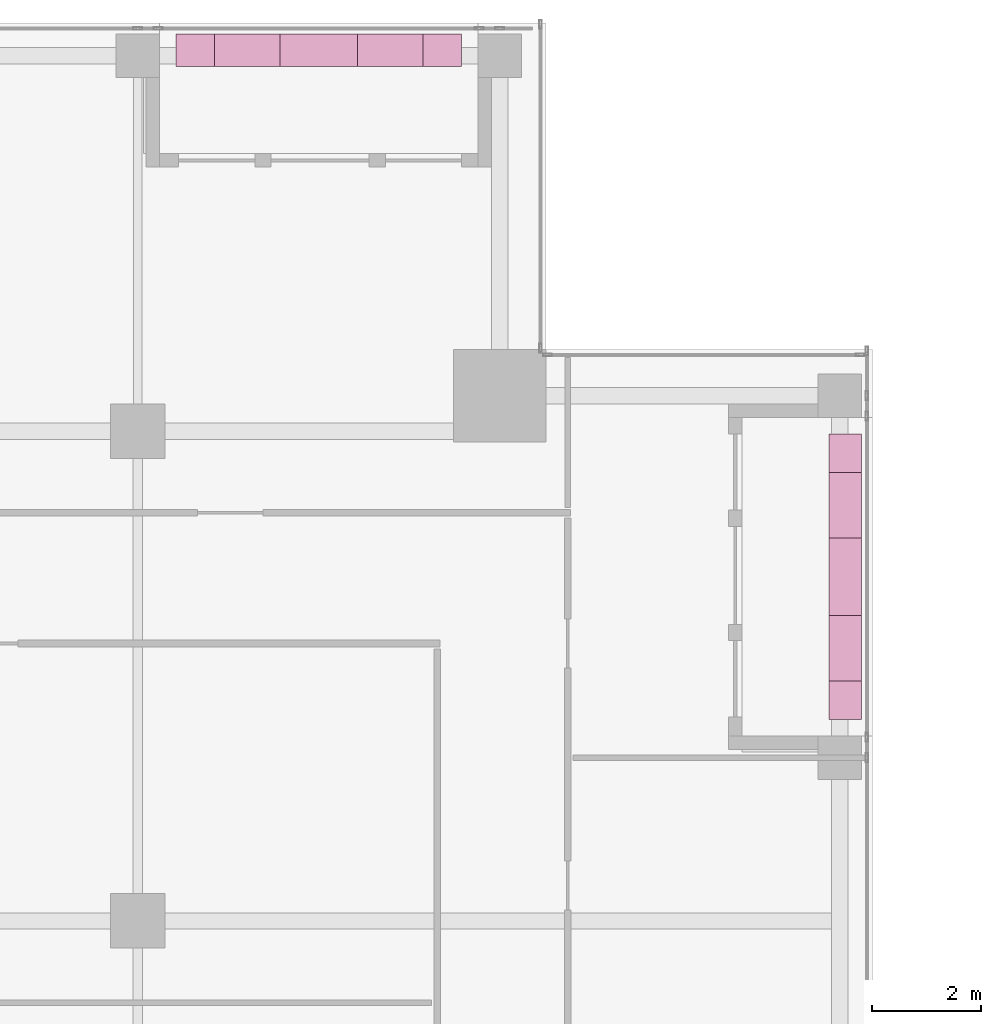
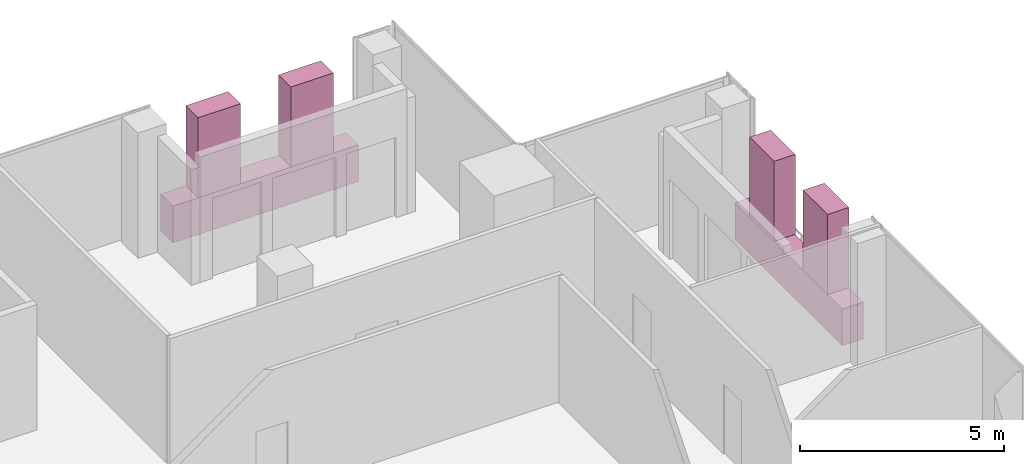
# One storey, part 28 of 28: 6 furnishings.
"""IFC4 building model written with IfcOpenShell, lengths in metres."""

from ifc_helpers import new_model, si_unit, direction, frame, origin, origin_2d, place, context, subcontext, project, spatial, rectangle, extrude, source, transform, mapped, material, type_object, element, save


model = new_model("IFC4")

# Units and contexts
model_context = context("Model", 3, precision=1e-05, world=origin(), true_north=direction((0.0, 1.0)))
body_context = subcontext(model_context, "Body", "Model", "MODEL_VIEW")
ifc_project = project(units=[si_unit("LENGTHUNIT", "METRE"), si_unit("AREAUNIT", "SQUARE_METRE"), si_unit("VOLUMEUNIT", "CUBIC_METRE"), si_unit("PLANEANGLEUNIT", "RADIAN"), si_unit("MASSUNIT", "GRAM", prefix="KILO")], contexts=[model_context])

# Site, building, storey
site_placement = place(None, origin())
site = spatial("IfcSite", under=ifc_project, at=site_placement, CompositionType="ELEMENT")
building_placement = place(site_placement, origin())
building = spatial("IfcBuilding", under=site, at=building_placement, Name="Khomas Fold Tower", CompositionType="ELEMENT")
storey_placement = place(building_placement, frame((0.0, 0.0, 302.199951171875)))
storey = spatial("IfcBuildingStorey", under=building, at=storey_placement, Name="L68", CompositionType="ELEMENT", Elevation=302.199951171875)

# Furnishings
ifc_material_1 = material(Name="Planting")
furnishing_element_type_1 = type_object("IfcFurnishingElementType", Name="BL-Tree Wild olive", material=ifc_material_1)
shared_shape_1 = source(origin(), body_context, "Body", "SweptSolid", [
    extrude(rectangle(XDim=1.199951171875, YDim=0.60009765625, at=origin_2d()), origin(), (0.0, 0.0, 1.0), 2.39501953125),
])
furnishing_1_placement = place(storey_placement, frame((36.512451171875, 47.5, 1.054931640625), z_axis=(0.0, 0.0, 1.0), x_axis=(1.0, 0.0, 0.0)))
element("IfcFurnishingElement", 1, at=furnishing_1_placement, inside=storey, type_object=furnishing_element_type_1, Name="PLANTER (TREE) Wild olive BAL-L68-N4-1", context=body_context, shape_type="MappedRepresentation", body=[
    mapped(shared_shape_1, transform((0.0, 0.0, 0.0))),
])
ifc_material_2 = material(Name="Planting")
furnishing_element_type_2 = type_object("IfcFurnishingElementType", Name="BL-Tree Shepherd's tree", material=ifc_material_2)
furnishing_2_placement = place(storey_placement, frame((39.137451171875, 47.5, 1.054931640625), z_axis=(0.0, 0.0, 1.0), x_axis=(1.0, 0.0, 0.0)))
element("IfcFurnishingElement", 2, at=furnishing_2_placement, inside=storey, type_object=furnishing_element_type_2, Name="PLANTER (TREE) Shepherd's tree BAL-L68-N4-2", context=body_context, shape_type="MappedRepresentation", body=[
    mapped(shared_shape_1, transform((0.0, 0.0, 0.0))),
])
furnishing_3_placement = place(storey_placement, frame((47.5, 36.512451171875, 1.054931640625), z_axis=(0.0, 0.0, 1.0), x_axis=(0.0, 1.0, 0.0)))
element("IfcFurnishingElement", 3, at=furnishing_3_placement, inside=storey, type_object=furnishing_element_type_1, Name="PLANTER (TREE) Wild olive BAL-L68-E4-1", context=body_context, shape_type="MappedRepresentation", body=[
    mapped(shared_shape_1, transform((0.0, 0.0, 0.0))),
])
furnishing_4_placement = place(storey_placement, frame((47.5, 39.137451171875, 1.054931640625), z_axis=(0.0, 0.0, 1.0), x_axis=(0.0, 1.0, 0.0)))
element("IfcFurnishingElement", 4, at=furnishing_4_placement, inside=storey, type_object=furnishing_element_type_2, Name="PLANTER (TREE) Shepherd's tree BAL-L68-E4-2", context=body_context, shape_type="MappedRepresentation", body=[
    mapped(shared_shape_1, transform((0.0, 0.0, 0.0))),
])
ifc_material_3 = material(Name="Precast concrete C40/50", Category="concrete")
furnishing_element_type_3 = type_object("IfcFurnishingElementType", Name="BL-Structural planter box", material=ifc_material_3)
shared_shape_2 = source(origin(), body_context, "Body", "SweptSolid", [
    extrude(rectangle(XDim=5.25, YDim=0.60009765625, at=origin_2d()), origin(), (0.0, 0.0, 1.0), 1.10009765625),
])
for number, where, z_axis, x_axis, name in (
    (5, (37.824951171875, 47.5, -0.044921875), (0.0, 0.0, 1.0), (1.0, 0.0, 0.0), "PLANTER BAL-L68-N4"),
    (6, (47.5, 37.824951171875, -0.044921875), (0.0, 0.0, 1.0), (0.0, 1.0, 0.0), "PLANTER BAL-L68-E4"),
):
    element("IfcFurnishingElement", number, at=place(storey_placement, frame(where, z_axis=z_axis, x_axis=x_axis)), inside=storey, type_object=furnishing_element_type_3, Name=name, context=body_context, shape_type="MappedRepresentation", body=[
        mapped(shared_shape_2, transform((0.0, 0.0, 0.0))),
    ])

save(model, "model.ifc")
